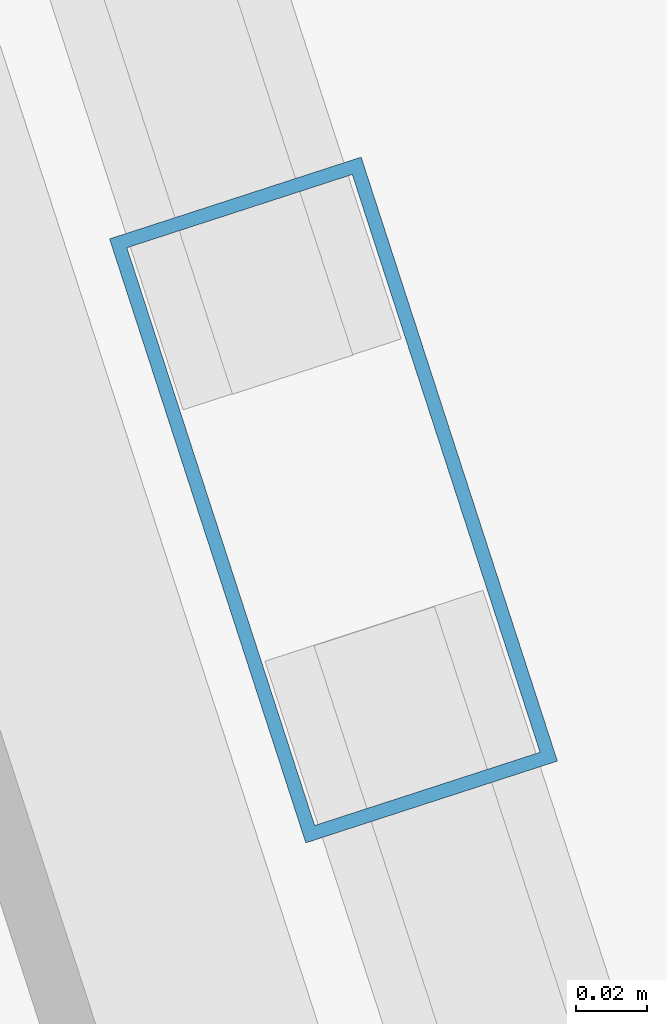
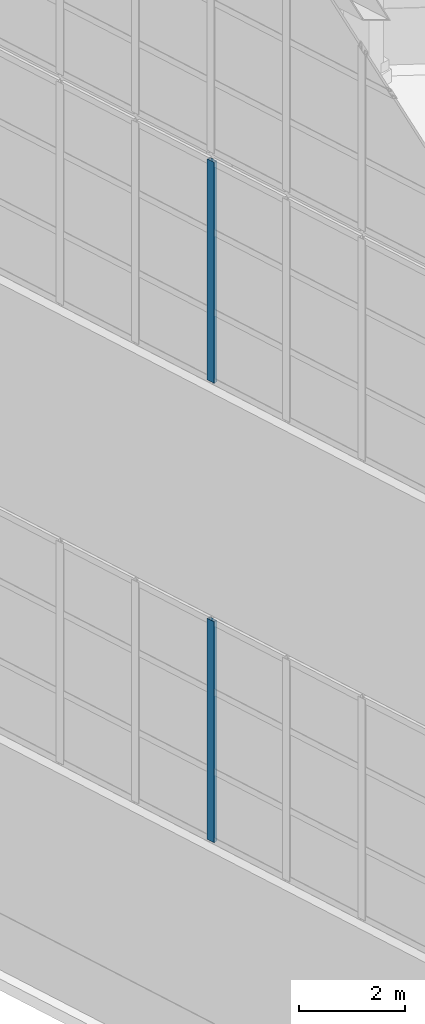
# One storey, part 22 of 56: 2 members, 2 elements without a shape of their own.
"""IFC4 building model written with IfcOpenShell, lengths in metres."""

from ifc_helpers import new_model, si_unit, direction, frame, origin, origin_2d, place, context, subcontext, project, spatial, hollow_rectangle, extrude, material, layer, layer_set, material_profile, profile_set, type_object, element, aggregate, save


model = new_model("IFC4")

# Units and contexts
model_context = context("Model", 3, precision=1e-05, world=origin(), true_north=direction((0.0, 1.0)))
body_context = subcontext(model_context, "Body", "Model", "MODEL_VIEW")
ifc_project = project(units=[si_unit("LENGTHUNIT", "METRE"), si_unit("AREAUNIT", "SQUARE_METRE"), si_unit("VOLUMEUNIT", "CUBIC_METRE"), si_unit("PLANEANGLEUNIT", "RADIAN"), si_unit("MASSUNIT", "GRAM", prefix="KILO")], contexts=[model_context])

# Site, building, storey
site_placement = place(None, origin())
site = spatial("IfcSite", under=ifc_project, at=site_placement, CompositionType="ELEMENT")
building_placement = place(site_placement, origin())
building = spatial("IfcBuilding", under=site, at=building_placement, Name="Qiaolan Cultural Towers", CompositionType="ELEMENT")
storey_placement = place(building_placement, frame((0.0, 0.0, 250.39990234375)))
storey = spatial("IfcBuildingStorey", under=building, at=storey_placement, Name="L68", CompositionType="ELEMENT", Elevation=250.39990234375)

# Curtain wall, member
ifc_material_1 = material(Name="Unitized Anodized Aluminium Curtain Wall System", Category="aluminium")
ifc_layer = layer(ifc_material_1, 0.199951171875)
ifc_layer_set = layer_set([ifc_layer], Name="Unitized Anodized Aluminium Curtain Wall System")
curtain_wall_type = type_object("IfcCurtainWallType", Name="CWS-06", PredefinedType="NOTDEFINED", material=ifc_layer_set)
curtain_wall_1_placement = place(storey_placement, origin())
curtain_wall_1 = element("IfcCurtainWall", 1, at=curtain_wall_1_placement, inside=storey, type_object=curtain_wall_type, Name="T2 Crown Tier 2 Fritted Screen Curtain Wall 7", PredefinedType="NOTDEFINED")
ifc_material_2 = material(Name="Extruded Aluminium 6063-T6", Category="aluminium")
ifc_material_profile = material_profile(ifc_material_2, hollow_rectangle(XDim=0.074951171875, YDim=0.179931640625, WallThickness=0.00390625, at=origin_2d()), Name="CWM-180x75x4")
ifc_profile_set = profile_set([ifc_material_profile], Name="Extruded Aluminium 6063-T6")
member_type = type_object("IfcMemberType", Name="CWS-06-MUL", PredefinedType="MULLION", material=ifc_profile_set)
member_1_placement = place(storey_placement, frame((76.827880859375, 29.72021484375, 5.400146484375), z_axis=(0.0, 0.0, 1.0), x_axis=(0.951056535512, 0.309016935232, 0.0)))
member_1 = element("IfcMember", 2, at=member_1_placement, type_object=member_type, Name="CW-6 mullion 4", PredefinedType="MULLION", context=body_context, shape_type="SweptSolid", body=[
    extrude(hollow_rectangle(XDim=0.074951171875, YDim=0.179931640625, WallThickness=0.00390625, at=origin_2d()), origin(), (0.0, 0.0, 1.0), 5.099853515625),
])
aggregate(curtain_wall_1, [member_1])

curtain_wall_2_placement = place(storey_placement, origin())
curtain_wall_2 = element("IfcCurtainWall", 3, at=curtain_wall_2_placement, inside=storey, type_object=curtain_wall_type, Name="T2 Crown Tier 4 Fritted Screen Curtain Wall 7", PredefinedType="NOTDEFINED")
member_2_placement = place(storey_placement, frame((76.827880859375, 29.72021484375, 16.0), z_axis=(0.0, 0.0, 1.0), x_axis=(0.951056535512, 0.309016935232, 0.0)))
member_2 = element("IfcMember", 4, at=member_2_placement, type_object=member_type, Name="CW-6 mullion 4", PredefinedType="MULLION", context=body_context, shape_type="SweptSolid", body=[
    extrude(hollow_rectangle(XDim=0.074951171875, YDim=0.179931640625, WallThickness=0.00390625, at=origin_2d()), origin(), (0.0, 0.0, 1.0), 5.10009765625),
])
aggregate(curtain_wall_2, [member_2])

save(model, "model.ifc")
